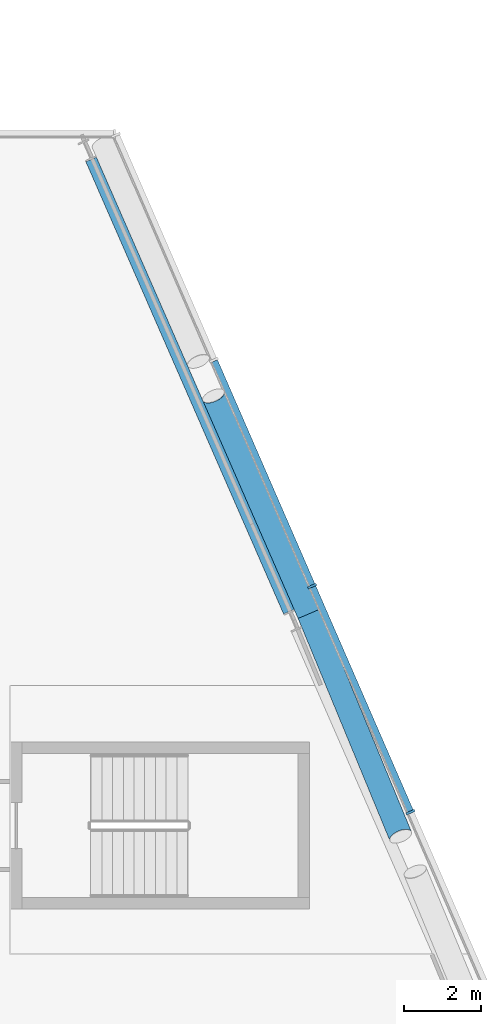
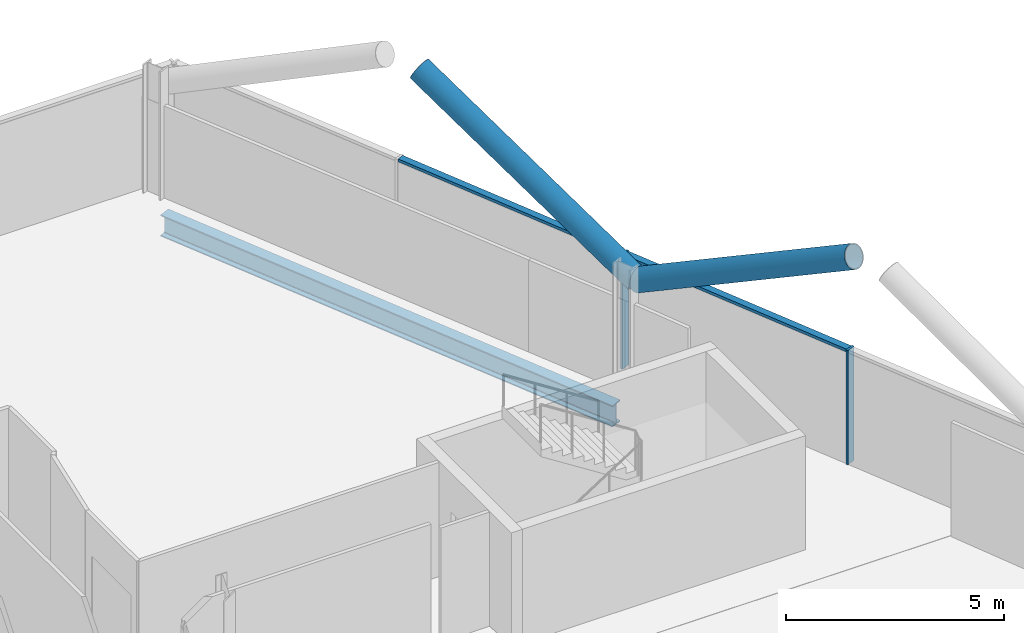
# One storey, part 9 of 25: 6 members, 1 beam, 1 element without a shape of its own.
"""IFC4 building model written with IfcOpenShell, lengths in metres."""

from ifc_helpers import new_model, si_unit, direction, frame, origin, origin_2d, place, context, subcontext, project, spatial, rectangle, hollow_circle, i_section, extrude, material, material_profile, profile_set, type_object, element, aggregate, save


model = new_model("IFC4")

# Units and contexts
model_context = context("Model", 3, precision=1e-05, world=origin(), true_north=direction((0.0, 1.0)))
body_context = subcontext(model_context, "Body", "Model", "MODEL_VIEW")
ifc_project = project(units=[si_unit("LENGTHUNIT", "METRE"), si_unit("AREAUNIT", "SQUARE_METRE"), si_unit("VOLUMEUNIT", "CUBIC_METRE"), si_unit("PLANEANGLEUNIT", "RADIAN"), si_unit("MASSUNIT", "GRAM", prefix="KILO")], contexts=[model_context])

# Site, building, storey
site_placement = place(None, origin())
site = spatial("IfcSite", under=ifc_project, at=site_placement, CompositionType="ELEMENT")
building_placement = place(site_placement, origin())
building = spatial("IfcBuilding", under=site, at=building_placement, Name="Wharfspan Tower", CompositionType="ELEMENT")
storey_placement = place(building_placement, frame((0.0, 0.0, 239.5)))
storey = spatial("IfcBuildingStorey", under=building, at=storey_placement, Name="L60", CompositionType="ELEMENT", Elevation=239.5)

# Beam
ifc_material_1 = material(Name="Steel S355J2", Category="steel")
ifc_material_profile_1 = material_profile(ifc_material_1, i_section(OverallWidth=0.300049, OverallDepth=0.600098, WebThickness=0.015381, FlangeThickness=0.030029, FilletRadius=0.0271, at=origin_2d()))
ifc_profile_set_1 = profile_set([ifc_material_profile_1], Name="Steel S355J2")
beam_type = type_object("IfcBeamType", Name="Edge beam HEB 600", PredefinedType="SPANDREL", material=ifc_profile_set_1)
beam_placement = place(storey_placement, frame((74.13208, 29.53125, -0.699951), z_axis=(-0.400619, 0.916245, 0.0), x_axis=(-0.916245, -0.400619, 0.0)))
element("IfcBeam", 1, at=beam_placement, inside=storey, type_object=beam_type, Name="Edge beam E L60 PE.2 to PE.3", PredefinedType="SPANDREL", context=body_context, shape_type="SweptSolid", body=[
    extrude(i_section(OverallWidth=0.300049, OverallDepth=0.600098, WebThickness=0.015381, FlangeThickness=0.030029, FilletRadius=0.0271, at=origin_2d()), origin(), (0.0, 0.0, 1.0), 12.883545),
])

# Curtain wall, members
ifc_material_2 = material(Name="Aluminium 6063-T6", Category="aluminium")
curtain_wall_type = type_object("IfcCurtainWallType", Name="CURTAIN WALL PROW AND END", PredefinedType="NOTDEFINED", material=ifc_material_2)
curtain_wall_placement = place(storey_placement, origin())
curtain_wall = element("IfcCurtainWall", 2, at=curtain_wall_placement, inside=storey, type_object=curtain_wall_type, Name="Curtain wall E", PredefinedType="NOTDEFINED")
ifc_material_profile_2 = material_profile(ifc_material_2, rectangle(XDim=0.23999, YDim=0.060059, at=origin_2d()))
ifc_profile_set_2 = profile_set([ifc_material_profile_2], Name="Aluminium 6063-T6")
member_type_1 = type_object("IfcMemberType", Name="MULLION PROW AND END 60x240", PredefinedType="MULLION", material=ifc_profile_set_2)
member_1_placement = place(storey_placement, frame((77.304443, 24.300049, 0.0), z_axis=(0.0, 0.0, 1.0), x_axis=(-0.917072, -0.398727, 0.0)))
member_1 = element("IfcMember", 3, at=member_1_placement, type_object=member_type_1, Name="Curtain wall E mullion 4", PredefinedType="MULLION", context=body_context, shape_type="SweptSolid", body=[
    extrude(rectangle(XDim=0.23999, YDim=0.060059, at=origin_2d()), origin(), (0.0, 0.0, 1.0), 3.199951),
])
member_2_placement = place(storey_placement, frame((74.739014, 30.199951, 0.0), z_axis=(0.0, 0.0, 1.0), x_axis=(-0.917072, -0.398727, 0.0)))
member_2 = element("IfcMember", 4, at=member_2_placement, type_object=member_type_1, Name="Curtain wall E mullion 5", PredefinedType="MULLION", context=body_context, shape_type="SweptSolid", body=[
    extrude(rectangle(XDim=0.23999, YDim=0.060059, at=origin_2d()), origin(), (0.0, 0.0, 1.0), 3.199951),
])

# Members
ifc_material_3 = material(Name="Steel S460NH", Category="steel")
ifc_material_profile_3 = material_profile(ifc_material_3, hollow_circle(Radius=0.304932, WallThickness=0.024902, at=origin_2d()))
ifc_profile_set_3 = profile_set([ifc_material_profile_3], Name="Steel S460NH")
member_type_2 = type_object("IfcMemberType", Name="Mega brace CHS 610x25", PredefinedType="BRACE", material=ifc_profile_set_3)
member_3_placement = place(storey_placement, frame((74.652588, 29.476318, 2.899902), z_axis=(0.337032, -0.816367, 0.468993), x_axis=(0.92433, 0.381605, 2e-06)))
element("IfcMember", 5, at=member_3_placement, inside=storey, type_object=member_type_2, Name="Mega brace E5 L61 part 3", PredefinedType="BRACE", context=body_context, shape_type="SweptSolid", body=[
    extrude(hollow_circle(Radius=0.304932, WallThickness=0.024902, at=origin_2d()), origin(), (0.0, 0.0, 1.0), 7.106201),
])
member_4_placement = place(storey_placement, frame((74.652588, 29.476318, 2.899902), z_axis=(-0.352883, 0.8071, 0.473353), x_axis=(-0.916253, -0.400609, 3e-06)))
element("IfcMember", 6, at=member_4_placement, inside=storey, type_object=member_type_2, Name="Mega brace E6 L61 part 1", PredefinedType="BRACE", context=body_context, shape_type="SweptSolid", body=[
    extrude(hollow_circle(Radius=0.304932, WallThickness=0.024902, at=origin_2d()), origin(), (0.0, 0.0, 1.0), 7.042236),
])

# Member
ifc_material_profile_4 = material_profile(ifc_material_2, rectangle(XDim=0.179932, YDim=0.080078, at=origin_2d()))
ifc_profile_set_4 = profile_set([ifc_material_profile_4], Name="Aluminium 6063-T6")
member_type_3 = type_object("IfcMemberType", Name="TRANSOM PROW AND END 80x180", PredefinedType="USERDEFINED", material=ifc_profile_set_4)
member_5_placement = place(storey_placement, frame((77.29248, 24.327393, 3.159912), z_axis=(-0.39874, 0.917064, 0.0), x_axis=(-0.917064, -0.39874, 0.0)))
member_5 = element("IfcMember", 7, at=member_5_placement, type_object=member_type_3, Name="Curtain wall E transom 4", ObjectType="TRANSOM", PredefinedType="USERDEFINED", context=body_context, shape_type="SweptSolid", body=[
    extrude(rectangle(XDim=0.179932, YDim=0.080078, at=origin_2d()), origin(), (0.0, 0.0, 1.0), 6.373779),
])

member_6_placement = place(storey_placement, frame((74.727051, 30.227539, 3.159912), z_axis=(-0.398722, 0.917072, 0.0), x_axis=(-0.917072, -0.398722, 0.0)))
member_6 = element("IfcMember", 8, at=member_6_placement, type_object=member_type_3, Name="Curtain wall E transom 5", ObjectType="TRANSOM", PredefinedType="USERDEFINED", context=body_context, shape_type="SweptSolid", body=[
    extrude(rectangle(XDim=0.179932, YDim=0.080078, at=origin_2d()), origin(), (0.0, 0.0, 1.0), 6.373535),
])

aggregate(curtain_wall, [member_1, member_2, member_5, member_6])

save(model, "model.ifc")
